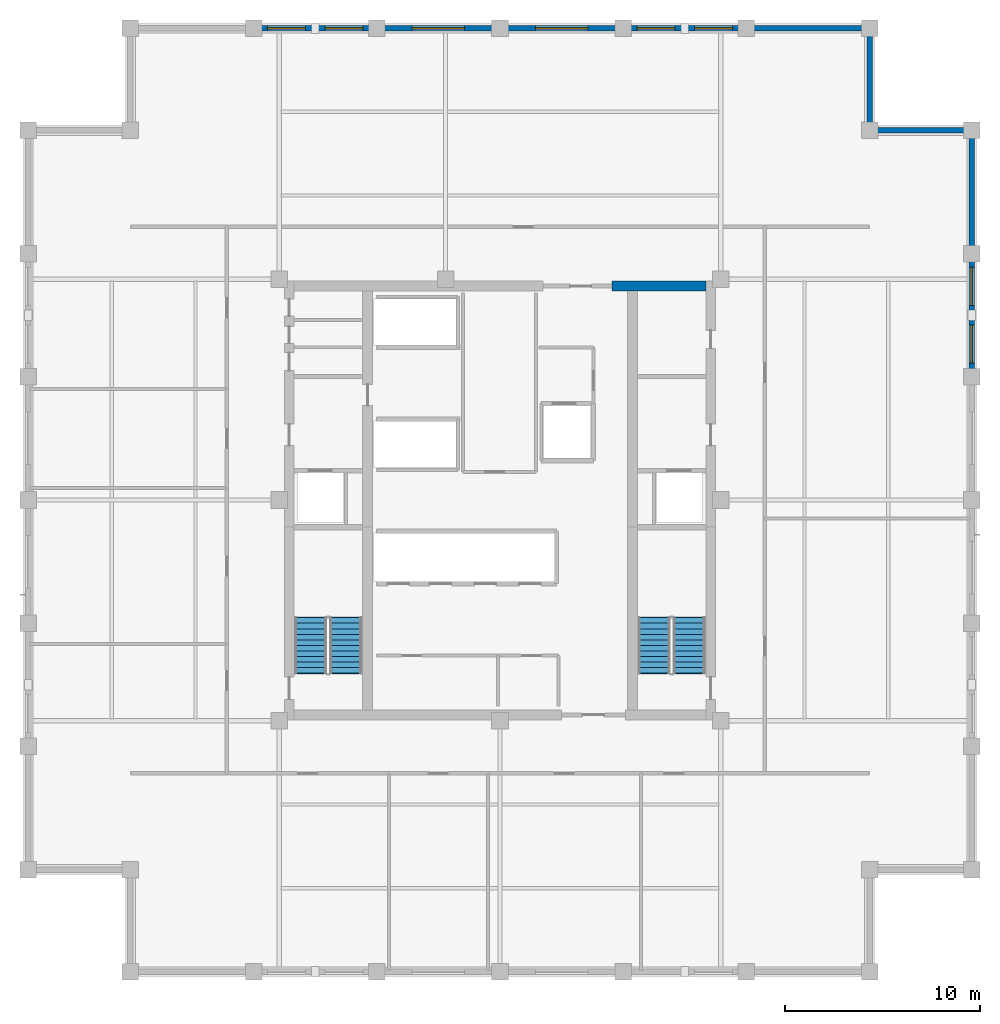
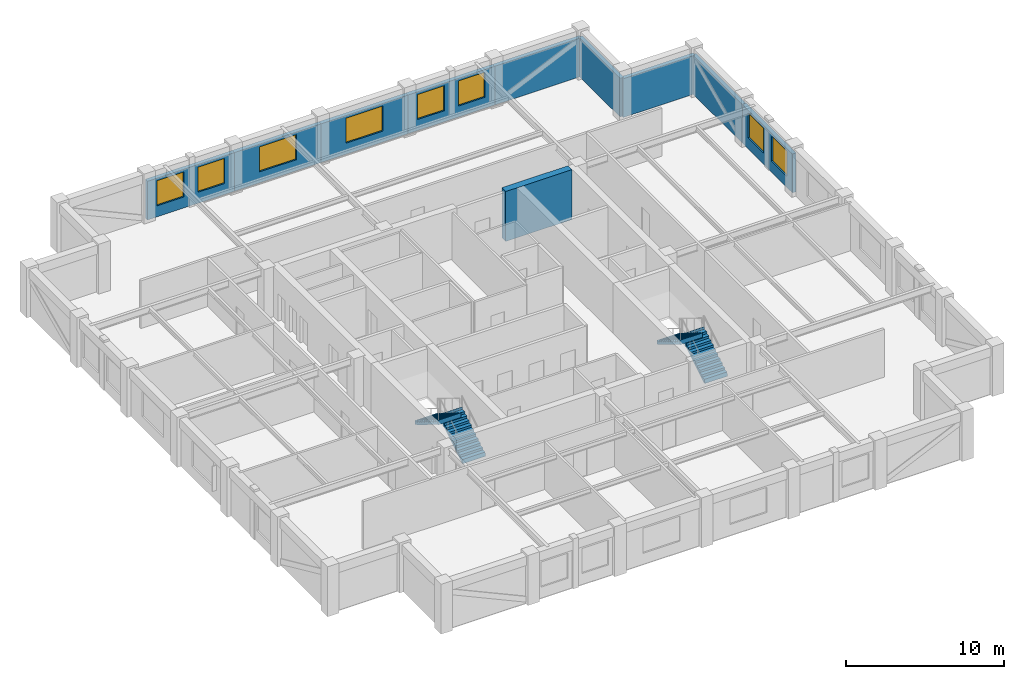
# One storey, part 8 of 9: 10 walls, 8 windows, 4 stair flights, 8 openings, 2 elements without a shape of their own.
"""IFC4 building model written with IfcOpenShell, lengths in metres."""

from ifc_helpers import new_model, si_unit, direction, frame, frame_2d, origin, place, context, subcontext, project, spatial, polyline, rectangle, outline, extrude, material, layer, layer_set, type_object, element, fill, aggregate, save


model = new_model("IFC4")

# Units and contexts
model_context = context("Model", 3, precision=1e-05, world=origin(), true_north=direction((0.0, 1.0)))
body_context = subcontext(model_context, "Body", "Model", "MODEL_VIEW")
ifc_project = project(units=[si_unit("LENGTHUNIT", "METRE"), si_unit("AREAUNIT", "SQUARE_METRE"), si_unit("VOLUMEUNIT", "CUBIC_METRE"), si_unit("PLANEANGLEUNIT", "RADIAN"), si_unit("MASSUNIT", "GRAM", prefix="KILO")], contexts=[model_context])

# Site, building, storey
site_placement = place(None, origin())
site = spatial("IfcSite", under=ifc_project, at=site_placement, CompositionType="ELEMENT")
building_placement = place(site_placement, origin())
building = spatial("IfcBuilding", under=site, at=building_placement, Name="Nhamokura Convention Tower", CompositionType="ELEMENT")
storey_placement = place(building_placement, frame((0.0, 0.0, 221.550048828125)))
storey = spatial("IfcBuildingStorey", under=building, at=storey_placement, Name="L54", CompositionType="ELEMENT", Elevation=221.550048828125)

# Wall, openings, windows
ifc_material_1 = material(Name="Bronze-pigmented precast concrete C45/55", Category="concrete")
ifc_layer_1 = layer(ifc_material_1, 0.280029296875)
ifc_layer_set_1 = layer_set([ifc_layer_1], Name="BronzePrecastSpandrel_280")
wall_type_1 = type_object("IfcWallType", Name="BronzePrecastSpandrel_280", PredefinedType="USERDEFINED", material=ifc_layer_set_1)
wall_1_placement = place(storey_placement, frame((19.333251953125, 56.25, 0.0), z_axis=(0.0, 0.0, 1.0), x_axis=(1.0, 0.0, 0.0)))
wall_1 = element("IfcWall", 1, at=wall_1_placement, inside=storey, type_object=wall_type_1, Name="L54 Masonry-Frame Wall NORTH 1", ObjectType="SPANDREL_WALL", PredefinedType="USERDEFINED", context=body_context, shape_type="SweptSolid", body=[
    extrude(rectangle(XDim=6.33349609375, YDim=0.280029296875, at=frame_2d((3.166748046875, 0.0))), origin(), (0.0, 0.0, 1.0), 2.98486328125),
])
opening_1_placement = place(wall_1_placement, frame((0.708251953125, 0.0, 0.85009765625)))
opening_1 = element("IfcOpeningElement", 2, at=opening_1_placement, cuts=wall_1, Name="Opening W-08", PredefinedType="OPENING", context=body_context, shape_type="SweptSolid", body=[
    extrude(rectangle(XDim=1.949951171875, YDim=1.93505859375, at=frame_2d((0.97509765625, 0.967529296875))), frame((0.0, 0.14990234375, 0.0), z_axis=(0.0, -1.0, 0.0), x_axis=(1.0, 0.0, 0.0)), (0.0, 0.0, 1.0), 0.300048828125),
])
opening_2_placement = place(wall_1_placement, frame((3.675048828125, 0.0, 0.85009765625)))
opening_2 = element("IfcOpeningElement", 3, at=opening_2_placement, cuts=wall_1, Name="Opening W-08", PredefinedType="OPENING", context=body_context, shape_type="SweptSolid", body=[
    extrude(rectangle(XDim=1.949951171875, YDim=1.93505859375, at=frame_2d((0.97509765625, 0.967529296875))), frame((0.0, 0.14990234375, 0.0), z_axis=(0.0, -1.0, 0.0), x_axis=(1.0, 0.0, 0.0)), (0.0, 0.0, 1.0), 0.300048828125),
])
ifc_material_2 = material(Name="Solar-control bronze low-E double glass", Category="glass")
window_type_1 = type_object("IfcWindowType", Name="OfficeModuleWindow_Z3_1950", PartitioningType="SINGLE_PANEL", PredefinedType="WINDOW", material=ifc_material_2)
window_1_placement = place(opening_1_placement, origin())
window_1 = element("IfcWindow", 4, at=window_1_placement, inside=storey, type_object=window_type_1, Name="L54 Facade Window NORTH 1-1", OverallHeight=1.93505859375, OverallWidth=1.949951171875, PartitioningType="SINGLE_PANEL", PredefinedType="WINDOW", context=body_context, shape_type="SweptSolid", body=[
    extrude(rectangle(XDim=1.949951171875, YDim=1.93505859375, at=frame_2d((0.97509765625, 0.967529296875))), frame((0.0, 0.030029296875, 0.0), z_axis=(0.0, -1.0, 0.0), x_axis=(1.0, 0.0, 0.0)), (0.0, 0.0, 1.0), 0.06005859375),
])
fill(opening_1, window_1)
window_2_placement = place(opening_2_placement, origin())
window_2 = element("IfcWindow", 5, at=window_2_placement, inside=storey, type_object=window_type_1, Name="L54 Facade Window NORTH 1-2", OverallHeight=1.93505859375, OverallWidth=1.949951171875, PartitioningType="SINGLE_PANEL", PredefinedType="WINDOW", context=body_context, shape_type="SweptSolid", body=[
    extrude(rectangle(XDim=1.949951171875, YDim=1.93505859375, at=frame_2d((0.97509765625, 0.967529296875))), frame((0.0, 0.030029296875, 0.0), z_axis=(0.0, -1.0, 0.0), x_axis=(1.0, 0.0, 0.0)), (0.0, 0.0, 1.0), 0.06005859375),
])
fill(opening_2, window_2)

# Wall, opening, window
wall_2_placement = place(storey_placement, frame((25.666748046875, 56.25, 0.0), z_axis=(0.0, 0.0, 1.0), x_axis=(1.0, 0.0, 0.0)))
wall_2 = element("IfcWall", 6, at=wall_2_placement, inside=storey, type_object=wall_type_1, Name="L54 Masonry-Frame Wall NORTH 2", ObjectType="SPANDREL_WALL", PredefinedType="USERDEFINED", context=body_context, shape_type="SweptSolid", body=[
    extrude(rectangle(XDim=6.333251953125, YDim=0.280029296875, at=frame_2d((3.16650390625, 0.0))), origin(), (0.0, 0.0, 1.0), 2.98486328125),
])
opening_3_placement = place(wall_2_placement, frame((1.816650390625, 0.0, 0.85009765625)))
opening_3 = element("IfcOpeningElement", 7, at=opening_3_placement, cuts=wall_2, Name="Opening W-07", PredefinedType="OPENING", context=body_context, shape_type="SweptSolid", body=[
    extrude(rectangle(XDim=2.699951171875, YDim=1.93505859375, at=frame_2d((1.35009765625, 0.967529296875))), frame((0.0, 0.14990234375, 0.0), z_axis=(0.0, -1.0, 0.0), x_axis=(1.0, 0.0, 0.0)), (0.0, 0.0, 1.0), 0.300048828125),
])
ifc_material_3 = material(Name="Solar-control bronze low-E double glass", Category="glass")
window_type_2 = type_object("IfcWindowType", Name="OfficeModuleWindow_Z3_2700", PartitioningType="DOUBLE_PANEL_VERTICAL", PredefinedType="WINDOW", material=ifc_material_3)
window_3_placement = place(opening_3_placement, origin())
window_3 = element("IfcWindow", 8, at=window_3_placement, inside=storey, type_object=window_type_2, Name="L54 Facade Window NORTH 2", OverallHeight=1.93505859375, OverallWidth=2.699951171875, PartitioningType="SINGLE_PANEL", PredefinedType="WINDOW", context=body_context, shape_type="SweptSolid", body=[
    extrude(rectangle(XDim=2.699951171875, YDim=1.93505859375, at=frame_2d((1.35009765625, 0.967529296875))), frame((0.0, 0.030029296875, 0.0), z_axis=(0.0, -1.0, 0.0), x_axis=(1.0, 0.0, 0.0)), (0.0, 0.0, 1.0), 0.06005859375),
])
fill(opening_3, window_3)

wall_3_placement = place(storey_placement, frame((32.0, 56.25, 0.0), z_axis=(0.0, 0.0, 1.0), x_axis=(1.0, 0.0, 0.0)))
wall_3 = element("IfcWall", 9, at=wall_3_placement, inside=storey, type_object=wall_type_1, Name="L54 Masonry-Frame Wall NORTH 3", ObjectType="SPANDREL_WALL", PredefinedType="USERDEFINED", context=body_context, shape_type="SweptSolid", body=[
    extrude(rectangle(XDim=6.333251953125, YDim=0.280029296875, at=frame_2d((3.16650390625, 0.0))), origin(), (0.0, 0.0, 1.0), 2.98486328125),
])
opening_4_placement = place(wall_3_placement, frame((1.816650390625, 0.0, 0.85009765625)))
opening_4 = element("IfcOpeningElement", 10, at=opening_4_placement, cuts=wall_3, Name="Opening W-07", PredefinedType="OPENING", context=body_context, shape_type="SweptSolid", body=[
    extrude(rectangle(XDim=2.699951171875, YDim=1.93505859375, at=frame_2d((1.35009765625, 0.967529296875))), frame((0.0, 0.14990234375, 0.0), z_axis=(0.0, -1.0, 0.0), x_axis=(1.0, 0.0, 0.0)), (0.0, 0.0, 1.0), 0.300048828125),
])
window_4_placement = place(opening_4_placement, origin())
window_4 = element("IfcWindow", 11, at=window_4_placement, inside=storey, type_object=window_type_2, Name="L54 Facade Window NORTH 3", OverallHeight=1.93505859375, OverallWidth=2.699951171875, PartitioningType="SINGLE_PANEL", PredefinedType="WINDOW", context=body_context, shape_type="SweptSolid", body=[
    extrude(rectangle(XDim=2.699951171875, YDim=1.93505859375, at=frame_2d((1.35009765625, 0.967529296875))), frame((0.0, 0.030029296875, 0.0), z_axis=(0.0, -1.0, 0.0), x_axis=(1.0, 0.0, 0.0)), (0.0, 0.0, 1.0), 0.06005859375),
])
fill(opening_4, window_4)

# Wall, openings, windows
wall_4_placement = place(storey_placement, frame((38.333251953125, 56.25, 0.0), z_axis=(0.0, 0.0, 1.0), x_axis=(1.0, 0.0, 0.0)))
wall_4 = element("IfcWall", 12, at=wall_4_placement, inside=storey, type_object=wall_type_1, Name="L54 Masonry-Frame Wall NORTH 4", ObjectType="SPANDREL_WALL", PredefinedType="USERDEFINED", context=body_context, shape_type="SweptSolid", body=[
    extrude(rectangle(XDim=6.33349609375, YDim=0.280029296875, at=frame_2d((3.166748046875, 0.0))), origin(), (0.0, 0.0, 1.0), 2.98486328125),
])
opening_5_placement = place(wall_4_placement, frame((0.708251953125, 0.0, 0.85009765625)))
opening_5 = element("IfcOpeningElement", 13, at=opening_5_placement, cuts=wall_4, Name="Opening W-08", PredefinedType="OPENING", context=body_context, shape_type="SweptSolid", body=[
    extrude(rectangle(XDim=1.949951171875, YDim=1.93505859375, at=frame_2d((0.97509765625, 0.967529296875))), frame((0.0, 0.14990234375, 0.0), z_axis=(0.0, -1.0, 0.0), x_axis=(1.0, 0.0, 0.0)), (0.0, 0.0, 1.0), 0.300048828125),
])
opening_6_placement = place(wall_4_placement, frame((3.675048828125, 0.0, 0.85009765625)))
opening_6 = element("IfcOpeningElement", 14, at=opening_6_placement, cuts=wall_4, Name="Opening W-08", PredefinedType="OPENING", context=body_context, shape_type="SweptSolid", body=[
    extrude(rectangle(XDim=1.949951171875, YDim=1.93505859375, at=frame_2d((0.97509765625, 0.967529296875))), frame((0.0, 0.14990234375, 0.0), z_axis=(0.0, -1.0, 0.0), x_axis=(1.0, 0.0, 0.0)), (0.0, 0.0, 1.0), 0.300048828125),
])
window_5_placement = place(opening_5_placement, origin())
window_5 = element("IfcWindow", 15, at=window_5_placement, inside=storey, type_object=window_type_1, Name="L54 Facade Window NORTH 4-1", OverallHeight=1.93505859375, OverallWidth=1.949951171875, PartitioningType="SINGLE_PANEL", PredefinedType="WINDOW", context=body_context, shape_type="SweptSolid", body=[
    extrude(rectangle(XDim=1.949951171875, YDim=1.93505859375, at=frame_2d((0.97509765625, 0.967529296875))), frame((0.0, 0.030029296875, 0.0), z_axis=(0.0, -1.0, 0.0), x_axis=(1.0, 0.0, 0.0)), (0.0, 0.0, 1.0), 0.06005859375),
])
fill(opening_5, window_5)
window_6_placement = place(opening_6_placement, origin())
window_6 = element("IfcWindow", 16, at=window_6_placement, inside=storey, type_object=window_type_1, Name="L54 Facade Window NORTH 4-2", OverallHeight=1.93505859375, OverallWidth=1.949951171875, PartitioningType="SINGLE_PANEL", PredefinedType="WINDOW", context=body_context, shape_type="SweptSolid", body=[
    extrude(rectangle(XDim=1.949951171875, YDim=1.93505859375, at=frame_2d((0.97509765625, 0.967529296875))), frame((0.0, 0.030029296875, 0.0), z_axis=(0.0, -1.0, 0.0), x_axis=(1.0, 0.0, 0.0)), (0.0, 0.0, 1.0), 0.06005859375),
])
fill(opening_6, window_6)

# Wall
wall_5_placement = place(storey_placement, frame((44.666748046875, 56.25, 0.0), z_axis=(0.0, 0.0, 1.0), x_axis=(1.0, 0.0, 0.0)))
element("IfcWall", 17, at=wall_5_placement, inside=storey, type_object=wall_type_1, Name="L54 Braced-Bay Precast Wall NORTH 5", ObjectType="SPANDREL_WALL", PredefinedType="USERDEFINED", context=body_context, shape_type="SweptSolid", body=[
    extrude(rectangle(XDim=6.333251953125, YDim=0.280029296875, at=frame_2d((3.16650390625, 0.0))), origin(), (0.0, 0.0, 1.0), 2.98486328125),
])

# Wall, openings, windows
wall_6_placement = place(storey_placement, frame((56.25, 44.666748046875, 0.0), z_axis=(0.0, 0.0, 1.0), x_axis=(0.0, -1.0, 0.0)))
wall_6 = element("IfcWall", 18, at=wall_6_placement, inside=storey, type_object=wall_type_1, Name="L54 Masonry-Frame Wall EAST 4", ObjectType="SPANDREL_WALL", PredefinedType="USERDEFINED", context=body_context, shape_type="SweptSolid", body=[
    extrude(rectangle(XDim=6.33349609375, YDim=0.280029296875, at=frame_2d((3.166748046875, 0.0))), origin(), (0.0, 0.0, 1.0), 2.98486328125),
])
opening_7_placement = place(wall_6_placement, frame((0.708251953125, 0.0, 0.85009765625)))
opening_7 = element("IfcOpeningElement", 19, at=opening_7_placement, cuts=wall_6, Name="Opening W-08", PredefinedType="OPENING", context=body_context, shape_type="SweptSolid", body=[
    extrude(rectangle(XDim=1.949951171875, YDim=1.93505859375, at=frame_2d((0.97509765625, 0.967529296875))), frame((0.0, 0.14990234375, 0.0), z_axis=(0.0, -1.0, 0.0), x_axis=(1.0, 0.0, 0.0)), (0.0, 0.0, 1.0), 0.300048828125),
])
opening_8_placement = place(wall_6_placement, frame((3.675048828125, 0.0, 0.85009765625)))
opening_8 = element("IfcOpeningElement", 20, at=opening_8_placement, cuts=wall_6, Name="Opening W-08", PredefinedType="OPENING", context=body_context, shape_type="SweptSolid", body=[
    extrude(rectangle(XDim=1.949951171875, YDim=1.93505859375, at=frame_2d((0.97509765625, 0.967529296875))), frame((0.0, 0.14990234375, 0.0), z_axis=(0.0, -1.0, 0.0), x_axis=(1.0, 0.0, 0.0)), (0.0, 0.0, 1.0), 0.300048828125),
])
window_7_placement = place(opening_7_placement, origin())
window_7 = element("IfcWindow", 21, at=window_7_placement, inside=storey, type_object=window_type_1, Name="L54 Facade Window EAST 4-1", OverallHeight=1.93505859375, OverallWidth=1.949951171875, PartitioningType="SINGLE_PANEL", PredefinedType="WINDOW", context=body_context, shape_type="SweptSolid", body=[
    extrude(rectangle(XDim=1.949951171875, YDim=1.93505859375, at=frame_2d((0.97509765625, 0.967529296875))), frame((0.0, 0.030029296875, 0.0), z_axis=(0.0, -1.0, 0.0), x_axis=(1.0, 0.0, 0.0)), (0.0, 0.0, 1.0), 0.06005859375),
])
fill(opening_7, window_7)
window_8_placement = place(opening_8_placement, origin())
window_8 = element("IfcWindow", 22, at=window_8_placement, inside=storey, type_object=window_type_1, Name="L54 Facade Window EAST 4-2", OverallHeight=1.93505859375, OverallWidth=1.949951171875, PartitioningType="SINGLE_PANEL", PredefinedType="WINDOW", context=body_context, shape_type="SweptSolid", body=[
    extrude(rectangle(XDim=1.949951171875, YDim=1.93505859375, at=frame_2d((0.97509765625, 0.967529296875))), frame((0.0, 0.030029296875, 0.0), z_axis=(0.0, -1.0, 0.0), x_axis=(1.0, 0.0, 0.0)), (0.0, 0.0, 1.0), 0.06005859375),
])
fill(opening_8, window_8)

# Walls
wall_7_placement = place(storey_placement, frame((56.25, 51.0, 0.0), z_axis=(0.0, 0.0, 1.0), x_axis=(0.0, -1.0, 0.0)))
element("IfcWall", 23, at=wall_7_placement, inside=storey, type_object=wall_type_1, Name="L54 Braced-Bay Precast Wall EAST 5", ObjectType="SPANDREL_WALL", PredefinedType="USERDEFINED", context=body_context, shape_type="SweptSolid", body=[
    extrude(rectangle(XDim=6.333251953125, YDim=0.280029296875, at=frame_2d((3.16650390625, 0.0))), origin(), (0.0, 0.0, 1.0), 2.98486328125),
])
for number, where, z_axis, x_axis, name in (
    (24, (51.0, 51.0, 0.0), (0.0, 0.0, 1.0), (1.0, 0.0, 0.0), "L54 Notched Corner Wall NE1"),
    (25, (51.0, 56.25, 0.0), (0.0, 0.0, 1.0), (0.0, -1.0, 0.0), "L54 Notched Corner Wall NE2"),
):
    element("IfcWall", number, at=place(storey_placement, frame(where, z_axis=z_axis, x_axis=x_axis)), inside=storey, type_object=wall_type_1, Name=name, ObjectType="SPANDREL_WALL", PredefinedType="USERDEFINED", context=body_context, shape_type="SweptSolid", body=[
        extrude(rectangle(XDim=5.25, YDim=0.280029296875, at=frame_2d((2.625, 0.0))), origin(), (0.0, 0.0, 1.0), 2.98486328125),
    ])
ifc_material_4 = material(Name="Concrete C60/75", Category="concrete")
ifc_layer_2 = layer(ifc_material_4, 0.5)
ifc_layer_set_2 = layer_set([ifc_layer_2], Name="CoreShearWall_500")
wall_type_2 = type_object("IfcWallType", Name="CoreShearWall_500", PredefinedType="SHEAR", material=ifc_layer_set_2)
wall_8_placement = place(storey_placement, frame((37.75, 43.0, 0.0), z_axis=(0.0, 0.0, 1.0), x_axis=(1.0, 0.0, 0.0)))
element("IfcWall", 26, at=wall_8_placement, inside=storey, type_object=wall_type_2, Name="L54 Core Shear Wall CW-N2", PredefinedType="SHEAR", context=body_context, shape_type="SweptSolid", body=[
    extrude(rectangle(XDim=4.840087890625, YDim=0.5, at=frame_2d((2.419921875, 0.0))), origin(), (0.0, 0.0, 1.0), 3.849853515625),
])

# Stair, stair flights
ifc_material_5 = material(Name="Concrete C40/50", Category="concrete")
stair_type = type_object("IfcStairType", Name="TowerCoreStair_1650", PredefinedType="HALF_TURN_STAIR", material=ifc_material_5)
stair_1_placement = place(storey_placement, origin())
stair_1 = element("IfcStair", 27, at=stair_1_placement, inside=storey, type_object=stair_type, Name="L54 West Core Smokeproof Stair ST-01", PredefinedType="HALF_TURN_STAIR")
ifc_material_6 = material(Name="Concrete C40/50", Category="concrete")
stair_flight_type = type_object("IfcStairFlightType", Name="TowerCoreStair_1650_Flight", PredefinedType="STRAIGHT", material=ifc_material_6)
stair_flight_1_placement = place(storey_placement, frame((24.074951171875, 23.10009765625, 0.0), z_axis=(0.0, 0.0, 1.0), x_axis=(0.0, 1.0, 0.0)))
stair_flight_1 = element("IfcStairFlight", 28, at=stair_flight_1_placement, type_object=stair_flight_type, Name="ST-01 flight 1", NumberOfRisers=11, NumberOfTreads=10, PredefinedType="STRAIGHT", RiserHeight=0.175, TreadLength=0.285, context=body_context, shape_type="SweptSolid", body=[
    extrude(outline(polyline([(-0.0419921875, 0.0), (0.0, 0.175048828125), (0.284912109375, 0.175048828125), (0.284912109375, 0.35009765625), (0.570068359375, 0.35009765625), (0.570068359375, 0.52490234375), (0.85498046875, 0.52490234375), (0.85498046875, 0.699951171875), (1.139892578125, 0.699951171875), (1.139892578125, 0.875), (1.425048828125, 0.875), (1.425048828125, 1.050048828125), (1.7099609375, 1.050048828125), (1.7099609375, 1.22509765625), (1.9951171875, 1.22509765625), (1.9951171875, 1.39990234375), (2.280029296875, 1.39990234375), (2.280029296875, 1.574951171875), (2.56494140625, 1.574951171875), (2.56494140625, 1.75), (2.85009765625, 1.75), (2.85009765625, 1.925048828125), (2.89208984375, 1.925048828125), (2.89208984375, 1.573974609375), (2.85009765625, 1.573974609375), (0.286376953125, 0.0), (0.02001953125, -0.1298828125), (-0.0419921875, -0.1298828125), (-0.0419921875, 0.0)])), frame((0.0, 0.824951171875, 0.0), z_axis=(0.0, -1.0, 0.0), x_axis=(1.0, 0.0, 0.0)), (0.0, 0.0, 1.0), 1.64990234375),
])
stair_flight_2_placement = place(storey_placement, frame((22.27490234375, 25.949951171875, 1.925048828125), z_axis=(0.0, 0.0, 1.0), x_axis=(0.0, -1.0, 0.0)))
stair_flight_2 = element("IfcStairFlight", 29, at=stair_flight_2_placement, type_object=stair_flight_type, Name="ST-01 flight 2", NumberOfRisers=11, NumberOfTreads=10, PredefinedType="STRAIGHT", RiserHeight=0.175, TreadLength=0.285, context=body_context, shape_type="SweptSolid", body=[
    extrude(outline(polyline([(-0.0419921875, 0.0), (0.0, 0.175048828125), (0.284912109375, 0.175048828125), (0.284912109375, 0.35009765625), (0.570068359375, 0.35009765625), (0.570068359375, 0.52490234375), (0.85498046875, 0.52490234375), (0.85498046875, 0.699951171875), (1.139892578125, 0.699951171875), (1.139892578125, 0.875), (1.425048828125, 0.875), (1.425048828125, 1.050048828125), (1.7099609375, 1.050048828125), (1.7099609375, 1.22509765625), (1.9951171875, 1.22509765625), (1.9951171875, 1.39990234375), (2.280029296875, 1.39990234375), (2.280029296875, 1.574951171875), (2.56494140625, 1.574951171875), (2.56494140625, 1.75), (2.85009765625, 1.75), (2.85009765625, 1.925048828125), (2.89208984375, 1.925048828125), (2.89208984375, 1.573974609375), (2.85009765625, 1.573974609375), (0.286376953125, 0.0), (0.02001953125, -0.1298828125), (-0.0419921875, -0.1298828125), (-0.0419921875, 0.0)])), frame((0.0, 0.824951171875, 0.0), z_axis=(0.0, -1.0, 0.0), x_axis=(1.0, 0.0, 0.0)), (0.0, 0.0, 1.0), 1.64990234375),
])
aggregate(stair_1, [stair_flight_1, stair_flight_2])

stair_2_placement = place(storey_placement, origin())
stair_2 = element("IfcStair", 30, at=stair_2_placement, inside=storey, type_object=stair_type, Name="L54 East Core Smokeproof Stair ST-02", PredefinedType="HALF_TURN_STAIR")
stair_flight_3_placement = place(storey_placement, frame((41.72509765625, 23.10009765625, 0.0), z_axis=(0.0, 0.0, 1.0), x_axis=(0.0, 1.0, 0.0)))
stair_flight_3 = element("IfcStairFlight", 31, at=stair_flight_3_placement, type_object=stair_flight_type, Name="ST-02 flight 1", NumberOfRisers=11, NumberOfTreads=10, PredefinedType="STRAIGHT", RiserHeight=0.175, TreadLength=0.285, context=body_context, shape_type="SweptSolid", body=[
    extrude(outline(polyline([(-0.0419921875, 0.0), (0.0, 0.175048828125), (0.284912109375, 0.175048828125), (0.284912109375, 0.35009765625), (0.570068359375, 0.35009765625), (0.570068359375, 0.52490234375), (0.85498046875, 0.52490234375), (0.85498046875, 0.699951171875), (1.139892578125, 0.699951171875), (1.139892578125, 0.875), (1.425048828125, 0.875), (1.425048828125, 1.050048828125), (1.7099609375, 1.050048828125), (1.7099609375, 1.22509765625), (1.9951171875, 1.22509765625), (1.9951171875, 1.39990234375), (2.280029296875, 1.39990234375), (2.280029296875, 1.574951171875), (2.56494140625, 1.574951171875), (2.56494140625, 1.75), (2.85009765625, 1.75), (2.85009765625, 1.925048828125), (2.89208984375, 1.925048828125), (2.89208984375, 1.573974609375), (2.85009765625, 1.573974609375), (0.286376953125, 0.0), (0.02001953125, -0.1298828125), (-0.0419921875, -0.1298828125), (-0.0419921875, 0.0)])), frame((0.0, 0.824951171875, 0.0), z_axis=(0.0, -1.0, 0.0), x_axis=(1.0, 0.0, 0.0)), (0.0, 0.0, 1.0), 1.64990234375),
])
stair_flight_4_placement = place(storey_placement, frame((39.925048828125, 25.949951171875, 1.925048828125), z_axis=(0.0, 0.0, 1.0), x_axis=(0.0, -1.0, 0.0)))
stair_flight_4 = element("IfcStairFlight", 32, at=stair_flight_4_placement, type_object=stair_flight_type, Name="ST-02 flight 2", NumberOfRisers=11, NumberOfTreads=10, PredefinedType="STRAIGHT", RiserHeight=0.175, TreadLength=0.285, context=body_context, shape_type="SweptSolid", body=[
    extrude(outline(polyline([(-0.0419921875, 0.0), (0.0, 0.175048828125), (0.284912109375, 0.175048828125), (0.284912109375, 0.35009765625), (0.570068359375, 0.35009765625), (0.570068359375, 0.52490234375), (0.85498046875, 0.52490234375), (0.85498046875, 0.699951171875), (1.139892578125, 0.699951171875), (1.139892578125, 0.875), (1.425048828125, 0.875), (1.425048828125, 1.050048828125), (1.7099609375, 1.050048828125), (1.7099609375, 1.22509765625), (1.9951171875, 1.22509765625), (1.9951171875, 1.39990234375), (2.280029296875, 1.39990234375), (2.280029296875, 1.574951171875), (2.56494140625, 1.574951171875), (2.56494140625, 1.75), (2.85009765625, 1.75), (2.85009765625, 1.925048828125), (2.89208984375, 1.925048828125), (2.89208984375, 1.573974609375), (2.85009765625, 1.573974609375), (0.286376953125, 0.0), (0.02001953125, -0.1298828125), (-0.0419921875, -0.1298828125), (-0.0419921875, 0.0)])), frame((0.0, 0.824951171875, 0.0), z_axis=(0.0, -1.0, 0.0), x_axis=(1.0, 0.0, 0.0)), (0.0, 0.0, 1.0), 1.64990234375),
])
aggregate(stair_2, [stair_flight_3, stair_flight_4])

save(model, "model.ifc")
